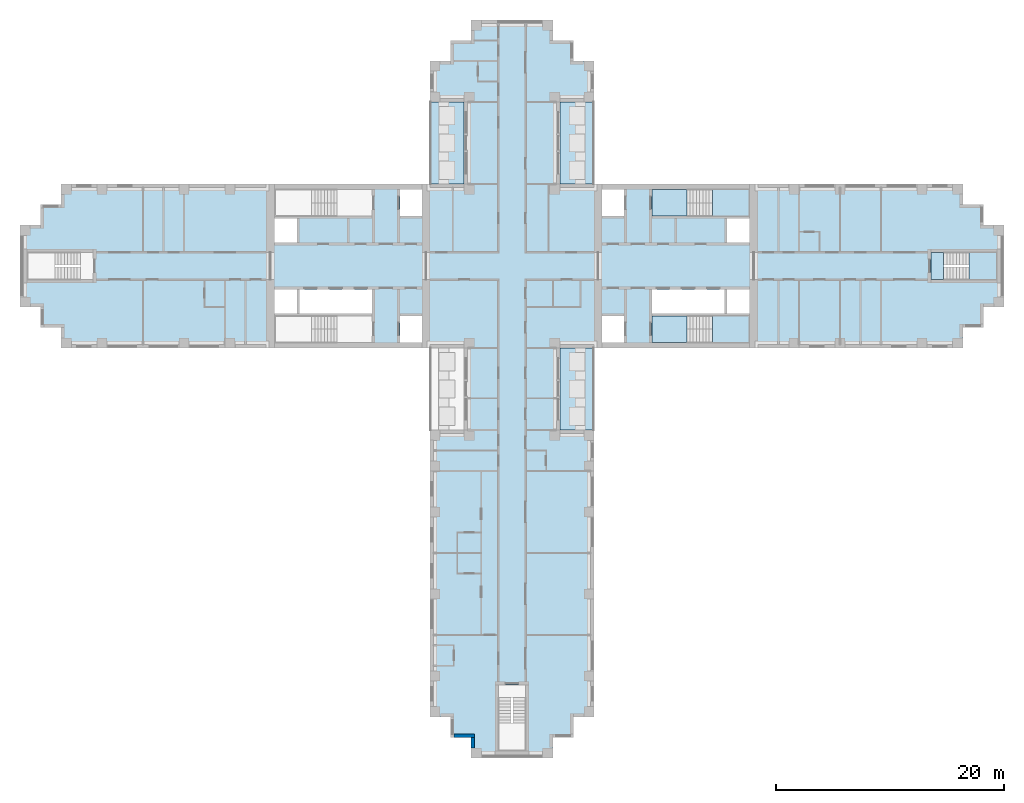
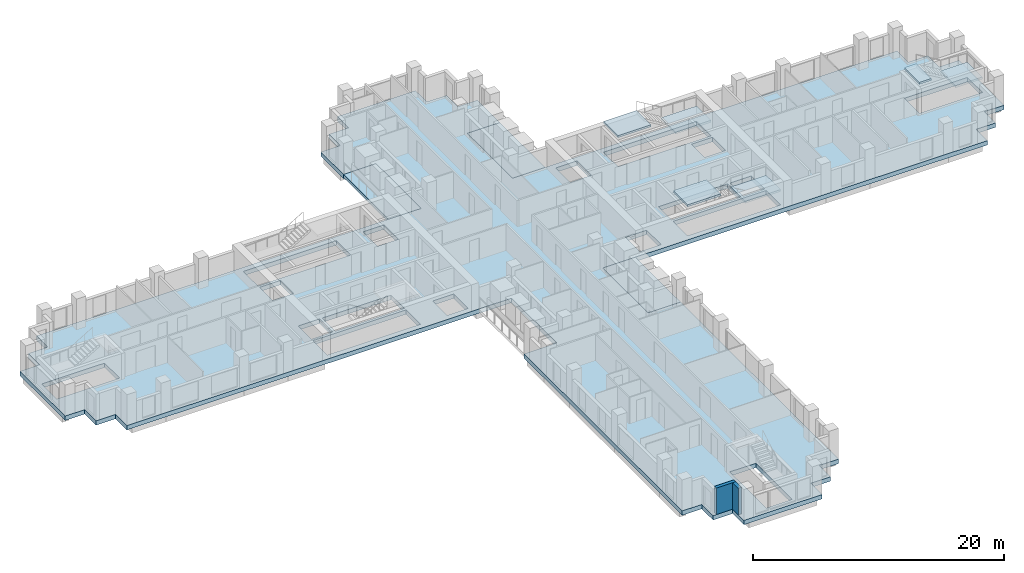
# One storey, part 2 of 13: 10 slabs, 2 walls, 3 elements without a shape of their own.
"""IFC4 building model written with IfcOpenShell, lengths in metres."""

from ifc_helpers import new_model, si_unit, direction, frame, frame_2d, origin, place, context, subcontext, project, spatial, polyline, rectangle, outline, extrude, material, layer, layer_set, type_object, element, aggregate, save


model = new_model("IFC4")

# Units and contexts
model_context = context("Model", 3, precision=1e-05, world=origin(), true_north=direction((0.0, 1.0)))
body_context = subcontext(model_context, "Body", "Model", "MODEL_VIEW")
ifc_project = project(units=[si_unit("LENGTHUNIT", "METRE"), si_unit("AREAUNIT", "SQUARE_METRE"), si_unit("VOLUMEUNIT", "CUBIC_METRE"), si_unit("PLANEANGLEUNIT", "RADIAN"), si_unit("MASSUNIT", "GRAM", prefix="KILO")], contexts=[model_context])

# Site, building, storey
site_placement = place(None, origin())
site = spatial("IfcSite", under=ifc_project, at=site_placement, CompositionType="ELEMENT")
building_placement = place(site_placement, origin())
building = spatial("IfcBuilding", under=site, at=building_placement, Name="Fustian Cross Tower", CompositionType="ELEMENT")
storey_placement = place(building_placement, frame((0.0, 0.0, 81.89990234375)))
storey = spatial("IfcBuildingStorey", under=building, at=storey_placement, Name="L25", CompositionType="ELEMENT", Elevation=81.89990234375)

# Slabs
ifc_material_1 = material(Name="Concrete C40/50", Category="concrete")
ifc_layer_1 = layer(ifc_material_1, 0.300048828125)
ifc_layer_set_1 = layer_set([ifc_layer_1], Name="Concrete C40/50")
slab_type_1 = type_object("IfcSlabType", Name="BS1 BALCONY SLAB 300", PredefinedType="FLOOR", material=ifc_layer_set_1)
slab_1_placement = place(storey_placement, frame((0.0, 0.0, -0.2998046875)))
element("IfcSlab", 1, at=slab_1_placement, inside=storey, type_object=slab_type_1, Name="Balcony slab", PredefinedType="FLOOR", context=body_context, shape_type="SweptSolid", body=[
    extrude(outline(polyline([(4.199951171875, 7.199951171875), (7.199951171875, 7.199951171875), (7.199951171875, 14.39990234375), (4.199951171875, 14.39990234375), (4.199951171875, 7.199951171875)])), origin(), (0.0, 0.0, 1.0), 0.2998046875),
])
slab_2_placement = place(storey_placement, frame((0.0, 0.0, -0.2998046875)))
element("IfcSlab", 2, at=slab_2_placement, inside=storey, type_object=slab_type_1, Name="Balcony slab", PredefinedType="FLOOR", context=body_context, shape_type="SweptSolid", body=[
    extrude(outline(polyline([(-7.199951171875, 7.199951171875), (-4.199951171875, 7.199951171875), (-4.199951171875, 14.39990234375), (-7.199951171875, 14.39990234375), (-7.199951171875, 7.199951171875)])), origin(), (0.0, 0.0, 1.0), 0.2998046875),
])
slab_3_placement = place(storey_placement, frame((0.0, 0.0, -0.2998046875)))
element("IfcSlab", 3, at=slab_3_placement, inside=storey, type_object=slab_type_1, Name="Balcony slab", PredefinedType="FLOOR", context=body_context, shape_type="SweptSolid", body=[
    extrude(outline(polyline([(4.199951171875, -14.39990234375), (7.199951171875, -14.39990234375), (7.199951171875, -7.199951171875), (4.199951171875, -7.199951171875), (4.199951171875, -14.39990234375)])), origin(), (0.0, 0.0, 1.0), 0.2998046875),
])
ifc_material_2 = material(Name="Concrete C40/50", Category="concrete")
ifc_layer_2 = layer(ifc_material_2, 0.425048828125)
ifc_layer_set_2 = layer_set([ifc_layer_2], Name="Concrete C40/50")
slab_type_2 = type_object("IfcSlabType", Name="FLAT SLAB 425", PredefinedType="FLOOR", material=ifc_layer_set_2)
slab_4_placement = place(storey_placement, frame((0.0, 0.0, -0.4248046875)))
element("IfcSlab", 4, at=slab_4_placement, inside=storey, type_object=slab_type_2, Name="FLOOR SLAB L25-1", PredefinedType="FLOOR", context=body_context, shape_type="SweptSolid", body=[
    extrude(outline(polyline([(-4.199951171875, -7.199951171875), (-39.60009765625, -7.199951171875), (-39.60009765625, -5.39990234375), (-41.39990234375, -5.39990234375), (-41.39990234375, -3.60009765625), (-43.199951171875, -3.60009765625), (-43.199951171875, 3.60009765625), (-41.39990234375, 3.60009765625), (-41.39990234375, 5.39990234375), (-39.60009765625, 5.39990234375), (-39.60009765625, 7.199951171875), (-4.199951171875, 7.199951171875), (-4.199951171875, 14.39990234375), (-7.199951171875, 14.39990234375), (-7.199951171875, 18.0), (-5.39990234375, 18.0), (-5.39990234375, 19.800048828125), (-3.60009765625, 19.800048828125), (-3.60009765625, 21.60009765625), (3.60009765625, 21.60009765625), (3.60009765625, 19.800048828125), (5.39990234375, 19.800048828125), (5.39990234375, 18.0), (7.199951171875, 18.0), (7.199951171875, 14.39990234375), (4.199951171875, 14.39990234375), (4.199951171875, 7.199951171875), (39.60009765625, 7.199951171875), (39.60009765625, 5.39990234375), (41.39990234375, 5.39990234375), (41.39990234375, 3.60009765625), (43.199951171875, 3.60009765625), (43.199951171875, -3.60009765625), (41.39990234375, -3.60009765625), (41.39990234375, -5.39990234375), (39.60009765625, -5.39990234375), (39.60009765625, -7.199951171875), (4.199951171875, -7.199951171875), (4.199951171875, -14.39990234375), (7.199951171875, -14.39990234375), (7.199951171875, -39.60009765625), (5.39990234375, -39.60009765625), (5.39990234375, -41.39990234375), (3.60009765625, -41.39990234375), (3.60009765625, -43.199951171875), (-3.60009765625, -43.199951171875), (-3.60009765625, -41.39990234375), (-5.39990234375, -41.39990234375), (-5.39990234375, -39.60009765625), (-7.199951171875, -39.60009765625), (-7.199951171875, -14.39990234375), (-4.199951171875, -14.39990234375), (-4.199951171875, -7.199951171875)]), holes=[polyline([(20.85009765625, -2.050048828125), (18.89990234375, -2.050048828125), (18.89990234375, -4.14990234375), (20.85009765625, -4.14990234375), (20.85009765625, -2.050048828125)]), polyline([(20.85009765625, 2.050048828125), (20.85009765625, 4.14990234375), (18.89990234375, 4.14990234375), (18.89990234375, 2.050048828125), (20.85009765625, 2.050048828125)]), polyline([(7.89990234375, 4.39990234375), (9.85009765625, 4.39990234375), (9.85009765625, 6.699951171875), (7.89990234375, 6.699951171875), (7.89990234375, 4.39990234375)]), polyline([(7.89990234375, -4.39990234375), (7.89990234375, -6.699951171875), (9.85009765625, -6.699951171875), (9.85009765625, -4.39990234375), (7.89990234375, -4.39990234375)]), polyline([(-18.89990234375, -2.050048828125), (-20.85009765625, -2.050048828125), (-20.85009765625, -4.14990234375), (-18.89990234375, -4.14990234375), (-18.89990234375, -2.050048828125)]), polyline([(-18.89990234375, 2.050048828125), (-18.89990234375, 4.14990234375), (-20.85009765625, 4.14990234375), (-20.85009765625, 2.050048828125), (-18.89990234375, 2.050048828125)]), polyline([(-9.85009765625, 4.39990234375), (-7.89990234375, 4.39990234375), (-7.89990234375, 6.699951171875), (-9.85009765625, 6.699951171875), (-9.85009765625, 4.39990234375)]), polyline([(-9.85009765625, -4.39990234375), (-9.85009765625, -6.699951171875), (-7.89990234375, -6.699951171875), (-7.89990234375, -4.39990234375), (-9.85009765625, -4.39990234375)]), polyline([(18.64990234375, -2.050048828125), (12.300048828125, -2.050048828125), (12.300048828125, -4.14990234375), (18.64990234375, -4.14990234375), (18.64990234375, -2.050048828125)]), polyline([(-12.300048828125, -4.14990234375), (-12.300048828125, -2.050048828125), (-18.64990234375, -2.050048828125), (-18.64990234375, -4.14990234375), (-12.300048828125, -4.14990234375)]), polyline([(12.300048828125, 4.39990234375), (20.85009765625, 4.39990234375), (20.85009765625, 6.699951171875), (12.300048828125, 6.699951171875), (12.300048828125, 4.39990234375)]), polyline([(12.300048828125, -4.39990234375), (12.300048828125, -6.699951171875), (20.85009765625, -6.699951171875), (20.85009765625, -4.39990234375), (12.300048828125, -4.39990234375)]), polyline([(-12.300048828125, 6.699951171875), (-20.85009765625, 6.699951171875), (-20.85009765625, 4.39990234375), (-12.300048828125, 4.39990234375), (-12.300048828125, 6.699951171875)]), polyline([(-12.300048828125, -6.699951171875), (-12.300048828125, -4.39990234375), (-20.85009765625, -4.39990234375), (-20.85009765625, -6.699951171875), (-12.300048828125, -6.699951171875)]), polyline([(-1.199951171875, -42.60009765625), (1.199951171875, -42.60009765625), (1.199951171875, -36.800048828125), (-1.199951171875, -36.800048828125), (-1.199951171875, -42.60009765625)]), polyline([(36.800048828125, 1.199951171875), (36.800048828125, -1.199951171875), (42.60009765625, -1.199951171875), (42.60009765625, 1.199951171875), (36.800048828125, 1.199951171875)]), polyline([(-36.800048828125, 1.199951171875), (-42.60009765625, 1.199951171875), (-42.60009765625, -1.199951171875), (-36.800048828125, -1.199951171875), (-36.800048828125, 1.199951171875)])]), origin(), (0.0, 0.0, 1.0), 0.4248046875),
])

# Stair, slabs
ifc_material_3 = material(Name="Concrete C50/60", Category="concrete")
stair_type_1 = type_object("IfcStairType", Name="STAIR 1150 HALF TURN", PredefinedType="HALF_TURN_STAIR", material=ifc_material_3)
stair_1_placement = place(storey_placement, origin())
stair_1 = element("IfcStair", 5, at=stair_1_placement, inside=storey, type_object=stair_type_1, Name="Stair ST1", PredefinedType="HALF_TURN_STAIR")
ifc_material_4 = material(Name="Concrete C50/60", Category="concrete")
ifc_layer_3 = layer(ifc_material_4, 0.199951171875)
ifc_layer_set_3 = layer_set([ifc_layer_3], Name="Concrete C50/60")
slab_type_3 = type_object("IfcSlabType", Name="STAIR LANDING", PredefinedType="LANDING", material=ifc_layer_set_3)
slab_5_placement = place(storey_placement, frame((0.0, 0.0, 1.300048828125)))
slab_5 = element("IfcSlab", 6, at=slab_5_placement, type_object=slab_type_3, Name="ST1 landing 1", PredefinedType="LANDING", context=body_context, shape_type="SweptSolid", body=[
    extrude(outline(polyline([(17.590087890625, 4.39990234375), (20.85009765625, 4.39990234375), (20.85009765625, 6.699951171875), (17.590087890625, 6.699951171875), (17.590087890625, 4.39990234375)])), origin(), (0.0, 0.0, 1.0), 0.199951171875),
])
slab_6_placement = place(storey_placement, frame((0.0, 0.0, 2.800048828125)))
slab_6 = element("IfcSlab", 7, at=slab_6_placement, type_object=slab_type_3, Name="ST1 landing 2", PredefinedType="LANDING", context=body_context, shape_type="SweptSolid", body=[
    extrude(outline(polyline([(12.300048828125, 4.39990234375), (15.35009765625, 4.39990234375), (15.35009765625, 6.699951171875), (12.300048828125, 6.699951171875), (12.300048828125, 4.39990234375)])), origin(), (0.0, 0.0, 1.0), 0.199951171875),
])
aggregate(stair_1, [slab_5, slab_6])

stair_2_placement = place(storey_placement, origin())
stair_2 = element("IfcStair", 8, at=stair_2_placement, inside=storey, type_object=stair_type_1, Name="Stair ST2", PredefinedType="HALF_TURN_STAIR")
slab_7_placement = place(storey_placement, frame((0.0, 0.0, 1.300048828125)))
slab_7 = element("IfcSlab", 9, at=slab_7_placement, type_object=slab_type_3, Name="ST2 landing 1", PredefinedType="LANDING", context=body_context, shape_type="SweptSolid", body=[
    extrude(outline(polyline([(17.590087890625, -4.39990234375), (20.85009765625, -4.39990234375), (20.85009765625, -6.699951171875), (17.590087890625, -6.699951171875), (17.590087890625, -4.39990234375)])), origin(), (0.0, 0.0, 1.0), 0.199951171875),
])
slab_8_placement = place(storey_placement, frame((0.0, 0.0, 2.800048828125)))
slab_8 = element("IfcSlab", 10, at=slab_8_placement, type_object=slab_type_3, Name="ST2 landing 2", PredefinedType="LANDING", context=body_context, shape_type="SweptSolid", body=[
    extrude(outline(polyline([(12.300048828125, -4.39990234375), (15.35009765625, -4.39990234375), (15.35009765625, -6.699951171875), (12.300048828125, -6.699951171875), (12.300048828125, -4.39990234375)])), origin(), (0.0, 0.0, 1.0), 0.199951171875),
])
aggregate(stair_2, [slab_7, slab_8])

ifc_material_5 = material(Name="Concrete C50/60", Category="concrete")
stair_type_2 = type_object("IfcStairType", Name="STAIR 1100 HALF TURN", PredefinedType="HALF_TURN_STAIR", material=ifc_material_5)
stair_3_placement = place(storey_placement, origin())
stair_3 = element("IfcStair", 11, at=stair_3_placement, inside=storey, type_object=stair_type_2, Name="Stair ST8", PredefinedType="HALF_TURN_STAIR")
slab_9_placement = place(storey_placement, frame((0.0, 0.0, 1.300048828125)))
slab_9 = element("IfcSlab", 12, at=slab_9_placement, type_object=slab_type_3, Name="ST8 landing 1", PredefinedType="LANDING", context=body_context, shape_type="SweptSolid", body=[
    extrude(outline(polyline([(40.139892578125, -1.199951171875), (42.60009765625, -1.199951171875), (42.60009765625, 1.199951171875), (40.139892578125, 1.199951171875), (40.139892578125, -1.199951171875)])), origin(), (0.0, 0.0, 1.0), 0.199951171875),
])
slab_10_placement = place(storey_placement, frame((0.0, 0.0, 2.800048828125)))
slab_10 = element("IfcSlab", 13, at=slab_10_placement, type_object=slab_type_3, Name="ST8 landing 2", PredefinedType="LANDING", context=body_context, shape_type="SweptSolid", body=[
    extrude(outline(polyline([(36.800048828125, -1.199951171875), (37.89990234375, -1.199951171875), (37.89990234375, 1.199951171875), (36.800048828125, 1.199951171875), (36.800048828125, -1.199951171875)])), origin(), (0.0, 0.0, 1.0), 0.199951171875),
])
aggregate(stair_3, [slab_9, slab_10])

# Walls
ifc_material_6 = material(Name="Dark aluminium cladding on insulated backing wall", Category="aluminium")
ifc_layer_4 = layer(ifc_material_6, 0.300048828125)
ifc_layer_set_4 = layer_set([ifc_layer_4], Name="Dark aluminium cladding on insulated backing wall")
wall_type = type_object("IfcWallType", Name="XW1 EXTERNAL WALL 300", PredefinedType="SOLIDWALL", material=ifc_layer_set_4)
wall_1_placement = place(storey_placement, frame((-5.10009765625, -41.25, 0.0), z_axis=(0.0, 0.0, 1.0), x_axis=(1.0, 0.0, 0.0)))
element("IfcWall", 14, at=wall_1_placement, inside=storey, type_object=wall_type, Name="External wall", PredefinedType="SOLIDWALL", context=body_context, shape_type="SweptSolid", body=[
    extrude(rectangle(XDim=1.800048828125, YDim=0.300048828125, at=frame_2d((0.89990234375, 0.0))), origin(), (0.0, 0.0, 1.0), 2.5751953125),
])
wall_2_placement = place(storey_placement, frame((-3.449951171875, -41.39990234375, 0.0), z_axis=(0.0, 0.0, 1.0), x_axis=(0.0, -1.0, 0.0)))
element("IfcWall", 15, at=wall_2_placement, inside=storey, type_object=wall_type, Name="External wall", PredefinedType="SOLIDWALL", context=body_context, shape_type="SweptSolid", body=[
    extrude(rectangle(XDim=0.900146484375, YDim=0.300048828125, at=frame_2d((0.4501953125, 0.0))), origin(), (0.0, 0.0, 1.0), 2.5751953125),
])

save(model, "model.ifc")
